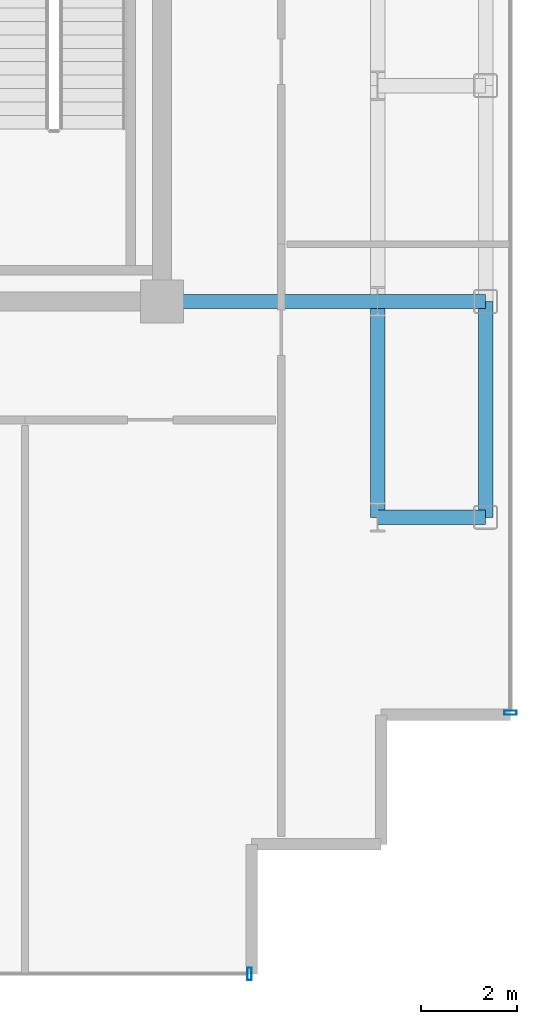
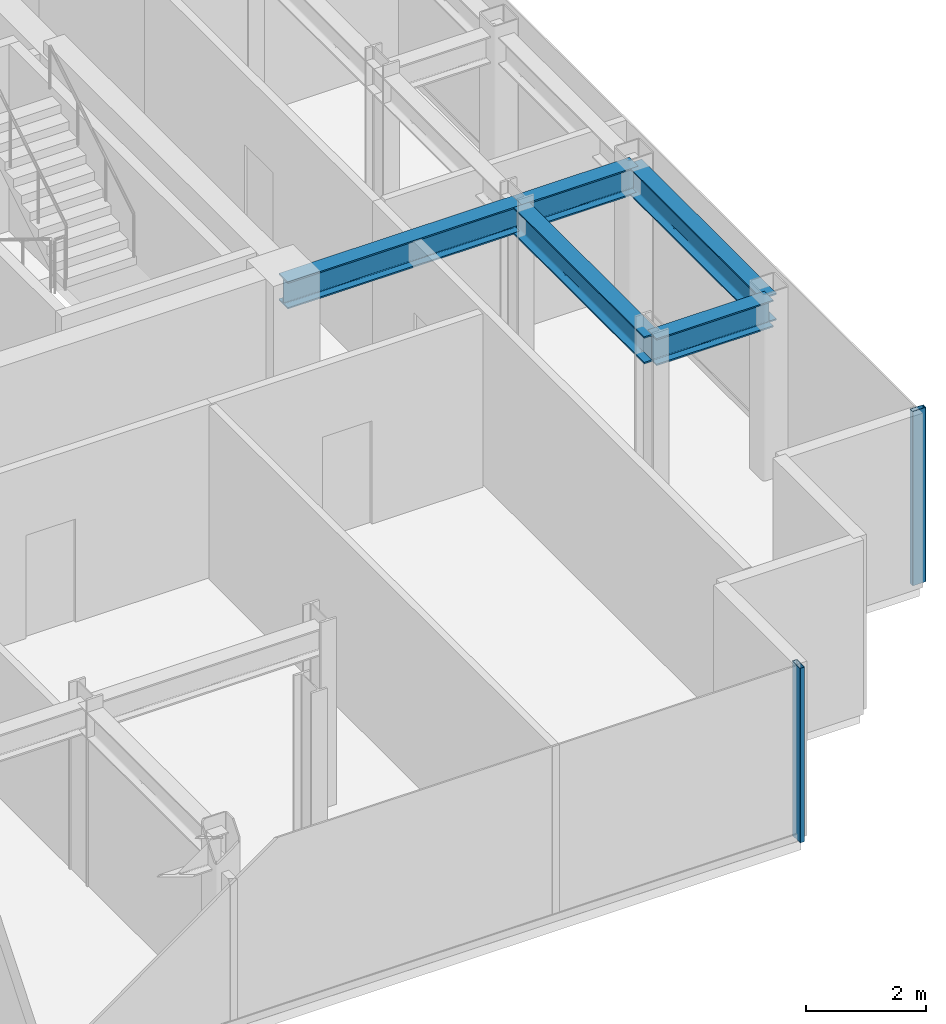
# One storey, part 6 of 17: 5 beams, 2 members, 2 elements without a shape of their own.
"""IFC4 building model written with IfcOpenShell, lengths in metres."""

from ifc_helpers import new_model, si_unit, direction, frame, origin, origin_2d, place, context, subcontext, project, spatial, hollow_rectangle, i_section, extrude, source, transform, mapped, material, layer, layer_set, material_profile, profile_set, type_object, element, aggregate, save


model = new_model("IFC4")

# Units and contexts
model_context = context("Model", 3, precision=1e-05, world=origin(), true_north=direction((0.0, 1.0)))
body_context = subcontext(model_context, "Body", "Model", "MODEL_VIEW")
ifc_project = project(units=[si_unit("LENGTHUNIT", "METRE"), si_unit("AREAUNIT", "SQUARE_METRE"), si_unit("VOLUMEUNIT", "CUBIC_METRE"), si_unit("PLANEANGLEUNIT", "RADIAN"), si_unit("MASSUNIT", "GRAM", prefix="KILO")], contexts=[model_context])

# Site, building, storey
site_placement = place(None, origin())
site = spatial("IfcSite", under=ifc_project, at=site_placement, CompositionType="ELEMENT")
building_placement = place(site_placement, origin())
building = spatial("IfcBuilding", under=site, at=building_placement, Name="Nefas-Gora Pilgrimage Tower", CompositionType="ELEMENT")
storey_placement = place(building_placement, frame((0.0, 0.0, 341.39990234375)))
storey = spatial("IfcBuildingStorey", under=building, at=storey_placement, Name="L86", CompositionType="ELEMENT", Elevation=341.39990234375)

# Beams
ifc_material_1 = material(Name="Steel S355", Category="steel")
ifc_material_profile_1 = material_profile(ifc_material_1, i_section(OverallWidth=0.300048828125, OverallDepth=0.550048828125, WebThickness=0.014892578125, FlangeThickness=0.029052734375, FilletRadius=0.027099609375, at=origin_2d()), Name="HEB 550")
ifc_profile_set_1 = profile_set([ifc_material_profile_1], Name="Steel S355")
beam_type_1 = type_object("IfcBeamType", Name="BM-SPN-HEB400", PredefinedType="SPANDREL", material=ifc_profile_set_1)
shared_shape_1 = source(origin(), body_context, "Body", "SweptSolid", [
    extrude(i_section(OverallWidth=0.300048828125, OverallDepth=0.550048828125, WebThickness=0.014892578125, FlangeThickness=0.029052734375, FilletRadius=0.027099609375, at=origin_2d()), origin(), (0.0, 0.0, 1.0), 4.5),
])
beam_placement = place(storey_placement, frame((18.0, -13.5, 3.275146484375), z_axis=(0.0, 1.0, 0.0), x_axis=(-1.0, 0.0, 0.0)))
element("IfcBeam", 1, at=beam_placement, inside=storey, type_object=beam_type_1, Name="L86 SP-04 beam", PredefinedType="SPANDREL", context=body_context, shape_type="MappedRepresentation", body=[
    mapped(shared_shape_1, transform((0.0, 0.0, 0.0), x_axis=(1.0, 0.0, 0.0), y_axis=(0.0, 1.0, 0.0), z_axis=(0.0, 0.0, 1.0), scale=1.0)),
])
ifc_material_profile_2 = material_profile(ifc_material_1, i_section(OverallWidth=0.300048828125, OverallDepth=0.550048828125, WebThickness=0.014892578125, FlangeThickness=0.029052734375, FilletRadius=0.027099609375, at=origin_2d()), Name="HEB 550")
ifc_profile_set_2 = profile_set([ifc_material_profile_2], Name="Steel S355")
beam_type_2 = type_object("IfcBeamType", Name="BM-GIR-HEB550", PredefinedType="BEAM", material=ifc_profile_set_2)
shared_shape_2 = source(origin(), body_context, "Body", "SweptSolid", [
    extrude(i_section(OverallWidth=0.300048828125, OverallDepth=0.550048828125, WebThickness=0.014892578125, FlangeThickness=0.029052734375, FilletRadius=0.027099609375, at=origin_2d()), origin(), (0.0, 0.0, 1.0), 4.5),
])
for number, where, z_axis, x_axis, name in (
    (2, (11.25, -9.0, 3.275146484375), (1.0, 0.0, 0.0), (0.0, 1.0, 0.0), "L86 G-05 beam"),
    (3, (15.75, -13.5, 3.275146484375), (0.0, 1.0, 0.0), (-1.0, 0.0, 0.0), "L86 G-05 beam"),
):
    element("IfcBeam", number, at=place(storey_placement, frame(where, z_axis=z_axis, x_axis=x_axis)), inside=storey, type_object=beam_type_2, Name=name, PredefinedType="BEAM", context=body_context, shape_type="MappedRepresentation", body=[
        mapped(shared_shape_2, transform((0.0, 0.0, 0.0), x_axis=(1.0, 0.0, 0.0), y_axis=(0.0, 1.0, 0.0), z_axis=(0.0, 0.0, 1.0), scale=1.0)),
    ])
shared_shape_3 = source(origin(), body_context, "Body", "SweptSolid", [
    extrude(i_section(OverallWidth=0.300048828125, OverallDepth=0.550048828125, WebThickness=0.014892578125, FlangeThickness=0.029052734375, FilletRadius=0.027099609375, at=origin_2d()), origin(), (0.0, 0.0, 1.0), 2.25),
])
for number, where, z_axis, x_axis, name in (
    (4, (15.75, -13.5, 3.275146484375), (1.0, 0.0, 0.0), (0.0, 1.0, 0.0), "L86 G-05 beam"),
    (5, (15.75, -9.0, 3.275146484375), (1.0, 0.0, 0.0), (0.0, 1.0, 0.0), "L86 G-05 beam"),
):
    element("IfcBeam", number, at=place(storey_placement, frame(where, z_axis=z_axis, x_axis=x_axis)), inside=storey, type_object=beam_type_2, Name=name, PredefinedType="BEAM", context=body_context, shape_type="MappedRepresentation", body=[
        mapped(shared_shape_3, transform((0.0, 0.0, 0.0), x_axis=(1.0, 0.0, 0.0), y_axis=(0.0, 1.0, 0.0), z_axis=(0.0, 0.0, 1.0), scale=1.0)),
    ])

# Curtain wall, member
ifc_material_2 = material(Name="Dark ceramic-fritted solar-control aluminium-glass curtain wall", Category="aluminium")
ifc_layer = layer(ifc_material_2, 0.219970703125)
ifc_layer_set = layer_set([ifc_layer], Name="Dark ceramic-fritted solar-control aluminium-glass curtain wall")
curtain_wall_type = type_object("IfcCurtainWallType", Name="CW-SYS-4", PredefinedType="NOTDEFINED", material=ifc_layer_set)
curtain_wall_1_placement = place(storey_placement, origin())
curtain_wall_1 = element("IfcCurtainWall", 6, at=curtain_wall_1_placement, inside=storey, type_object=curtain_wall_type, Name="L86 Unitised Curtain Wall CW4", PredefinedType="NOTDEFINED")
ifc_material_3 = material(Name="Anodised architectural aluminium", Category="aluminium")
ifc_material_profile_3 = material_profile(ifc_material_3, hollow_rectangle(XDim=0.090087890625, YDim=0.260009765625, WallThickness=0.006103515625, InnerFilletRadius=0.006103515625, OuterFilletRadius=0.011962890625, at=origin_2d()), Name="ALU MULLION 90x260")
ifc_profile_set_3 = profile_set([ifc_material_profile_3], Name="Anodised architectural aluminium")
member_type = type_object("IfcMemberType", Name="CWM-MUL-4", PredefinedType="MULLION", material=ifc_profile_set_3)
shared_shape_4 = source(origin(), body_context, "Body", "SweptSolid", [
    extrude(hollow_rectangle(XDim=0.090087890625, YDim=0.260009765625, WallThickness=0.006103515625, InnerFilletRadius=0.006103515625, OuterFilletRadius=0.011962890625, at=origin_2d()), origin(), (0.0, 0.0, 1.0), 3.550048828125),
])
member_1_placement = place(storey_placement, frame((13.074951171875, -23.02001953125, 0.0), z_axis=(0.0, 0.0, 1.0), x_axis=(1.0, 0.0, 0.0)))
member_1 = element("IfcMember", 7, at=member_1_placement, type_object=member_type, Name="CW4 Mullion 2", PredefinedType="MULLION", context=body_context, shape_type="MappedRepresentation", body=[
    mapped(shared_shape_4, transform((0.0, 0.0, 0.0), x_axis=(1.0, 0.0, 0.0), y_axis=(0.0, 1.0, 0.0), z_axis=(0.0, 0.0, 1.0), scale=1.0)),
])
aggregate(curtain_wall_1, [member_1])

curtain_wall_2_placement = place(storey_placement, origin())
curtain_wall_2 = element("IfcCurtainWall", 8, at=curtain_wall_2_placement, inside=storey, type_object=curtain_wall_type, Name="L86 Unitised Curtain Wall CW4", PredefinedType="NOTDEFINED")
member_2_placement = place(storey_placement, frame((18.52001953125, -17.574951171875, 0.0), z_axis=(0.0, 0.0, 1.0), x_axis=(0.0, 1.0, 0.0)))
member_2 = element("IfcMember", 9, at=member_2_placement, type_object=member_type, Name="CW4 Mullion 1", PredefinedType="MULLION", context=body_context, shape_type="MappedRepresentation", body=[
    mapped(shared_shape_4, transform((0.0, 0.0, 0.0), x_axis=(1.0, 0.0, 0.0), y_axis=(0.0, 1.0, 0.0), z_axis=(0.0, 0.0, 1.0), scale=1.0)),
])
aggregate(curtain_wall_2, [member_2])

save(model, "model.ifc")
